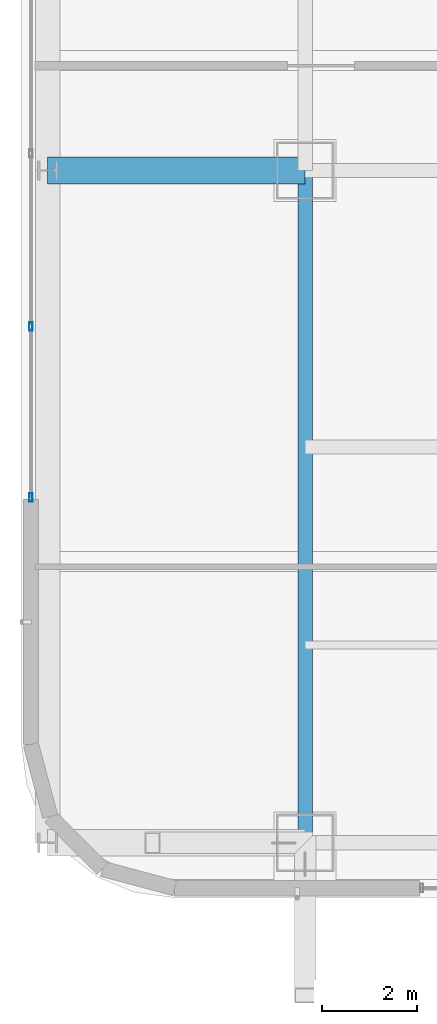
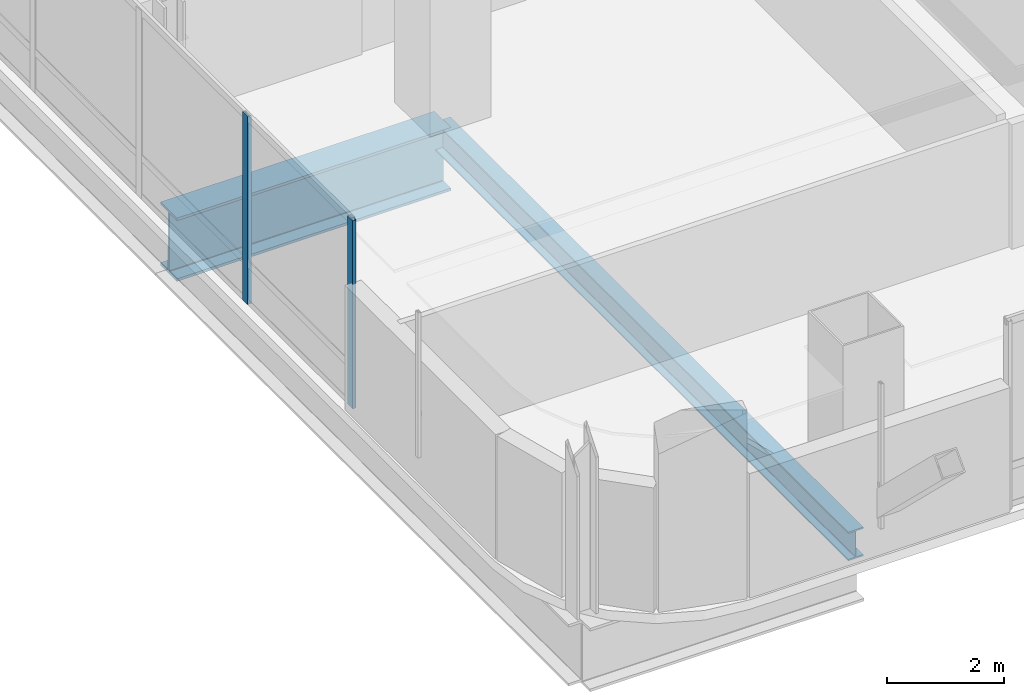
# One storey, part 4 of 51: 2 beams, 2 members, 1 element without a shape of its own.
"""IFC4 building model written with IfcOpenShell, lengths in metres."""

from ifc_helpers import new_model, si_unit, direction, frame, origin, origin_2d, place, context, subcontext, project, spatial, hollow_rectangle, i_section, extrude, material, material_profile, profile_set, type_object, element, aggregate, save


model = new_model("IFC4")

# Units and contexts
model_context = context("Model", 3, precision=1e-05, world=origin(), true_north=direction((0.0, 1.0)))
body_context = subcontext(model_context, "Body", "Model", "MODEL_VIEW")
ifc_project = project(units=[si_unit("LENGTHUNIT", "METRE"), si_unit("AREAUNIT", "SQUARE_METRE"), si_unit("VOLUMEUNIT", "CUBIC_METRE"), si_unit("PLANEANGLEUNIT", "RADIAN"), si_unit("MASSUNIT", "GRAM", prefix="KILO")], contexts=[model_context])

# Site, building, storey
site_placement = place(None, origin())
site = spatial("IfcSite", under=ifc_project, at=site_placement, CompositionType="ELEMENT")
building_placement = place(site_placement, origin())
building = spatial("IfcBuilding", under=site, at=building_placement, Name="Punatoya Terracotta Tower", CompositionType="ELEMENT")
storey_placement = place(building_placement, frame((0.0, 0.0, 313.199951171875)))
storey = spatial("IfcBuildingStorey", under=building, at=storey_placement, Name="L74", CompositionType="ELEMENT", Elevation=313.199951171875)

# Beams
ifc_material_1 = material(Name="Steel S355", Category="steel")
ifc_material_profile_1 = material_profile(ifc_material_1, i_section(OverallWidth=0.300048828125, OverallDepth=0.60009765625, WebThickness=0.015380859375, FlangeThickness=0.030029296875, FilletRadius=0.01806640625, at=origin_2d()))
ifc_profile_set_1 = profile_set([ifc_material_profile_1], Name="Steel S355")
beam_type_1 = type_object("IfcBeamType", Name="BM-PRI-600", PredefinedType="BEAM", material=ifc_profile_set_1)
beam_1_placement = place(storey_placement, frame((-19.10009765625, -17.5, -0.5), z_axis=(0.0, 1.0, 0.0), x_axis=(-1.0, 0.0, 0.0)))
element("IfcBeam", 1, at=beam_1_placement, inside=storey, type_object=beam_type_1, Name="BM-L74-RG-W1", PredefinedType="BEAM", context=body_context, shape_type="SweptSolid", body=[
    extrude(i_section(OverallWidth=0.300048828125, OverallDepth=0.60009765625, WebThickness=0.015380859375, FlangeThickness=0.030029296875, FilletRadius=0.01806640625, at=origin_2d()), origin(), (0.0, 0.0, 1.0), 14.10009765625),
])
ifc_material_2 = material(Name="Steel S460", Category="steel")
ifc_material_profile_2 = material_profile(ifc_material_2, i_section(OverallWidth=0.56005859375, OverallDepth=1.320068359375, WebThickness=0.035888671875, FlangeThickness=0.054931640625, FilletRadius=0.01806640625, at=origin_2d()))
ifc_profile_set_2 = profile_set([ifc_material_profile_2], Name="Steel S460")
beam_type_2 = type_object("IfcBeamType", Name="BM-TG-BLK", PredefinedType="BEAM", material=ifc_profile_set_2)
beam_2_placement = place(storey_placement, frame((-24.5, -3.39990234375, -0.85986328125), z_axis=(1.0, 0.0, 0.0), x_axis=(0.0, 1.0, 0.0)))
element("IfcBeam", 2, at=beam_2_placement, inside=storey, type_object=beam_type_2, Name="BM-L74-CANT-W2", PredefinedType="BEAM", context=body_context, shape_type="SweptSolid", body=[
    extrude(i_section(OverallWidth=0.56005859375, OverallDepth=1.320068359375, WebThickness=0.035888671875, FlangeThickness=0.054931640625, FilletRadius=0.01806640625, at=origin_2d()), origin(), (0.0, 0.0, 1.0), 5.39990234375),
])

# Curtain wall, members
ifc_material_3 = material(Name="Aluminium 6063-T6 + Double Low-E Glass", Category="aluminium")
curtain_wall_type = type_object("IfcCurtainWallType", Name="CW-M3", PredefinedType="NOTDEFINED", material=ifc_material_3)
curtain_wall_placement = place(storey_placement, origin())
curtain_wall = element("IfcCurtainWall", 3, at=curtain_wall_placement, inside=storey, type_object=curtain_wall_type, Name="L74 Curtain Wall CW-L74-W13-1", PredefinedType="NOTDEFINED")
ifc_material_4 = material(Name="Aluminium 6063-T6", Category="aluminium")
ifc_material_profile_3 = material_profile(ifc_material_4, hollow_rectangle(XDim=0.070068359375, YDim=0.179931640625, WallThickness=0.00390625, at=origin_2d()))
ifc_profile_set_3 = profile_set([ifc_material_profile_3], Name="Aluminium 6063-T6")
member_type = type_object("IfcMemberType", Name="CW-MUL-M3", PredefinedType="MULLION", material=ifc_profile_set_3)
member_1_placement = place(storey_placement, frame((-24.85009765625, -6.67138671875, 0.0), z_axis=(0.0, 0.0, 1.0), x_axis=(1.0, 0.0, 0.0)))
member_1 = element("IfcMember", 4, at=member_1_placement, type_object=member_type, Name="CW-L74-W13-1 Mullion 06", PredefinedType="MULLION", context=body_context, shape_type="SweptSolid", body=[
    extrude(hollow_rectangle(XDim=0.070068359375, YDim=0.179931640625, WallThickness=0.00390625, at=origin_2d()), origin(), (0.0, 0.0, 1.0), 3.920166015625),
])
member_2_placement = place(storey_placement, frame((-24.85009765625, -10.2548828125, 0.0), z_axis=(0.0, 0.0, 1.0), x_axis=(1.0, 0.0, 0.0)))
member_2 = element("IfcMember", 5, at=member_2_placement, type_object=member_type, Name="CW-L74-W13-1 Mullion 07", PredefinedType="MULLION", context=body_context, shape_type="SweptSolid", body=[
    extrude(hollow_rectangle(XDim=0.070068359375, YDim=0.179931640625, WallThickness=0.00390625, at=origin_2d()), origin(), (0.0, 0.0, 1.0), 3.920166015625),
])
aggregate(curtain_wall, [member_1, member_2])

save(model, "model.ifc")
